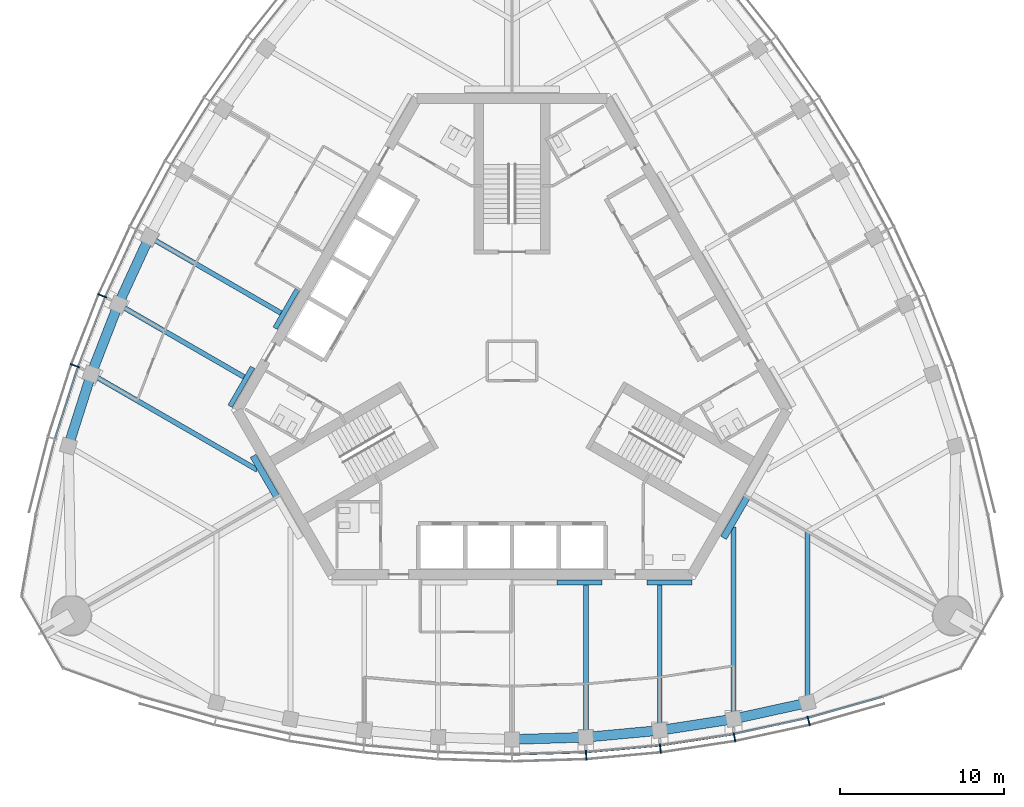
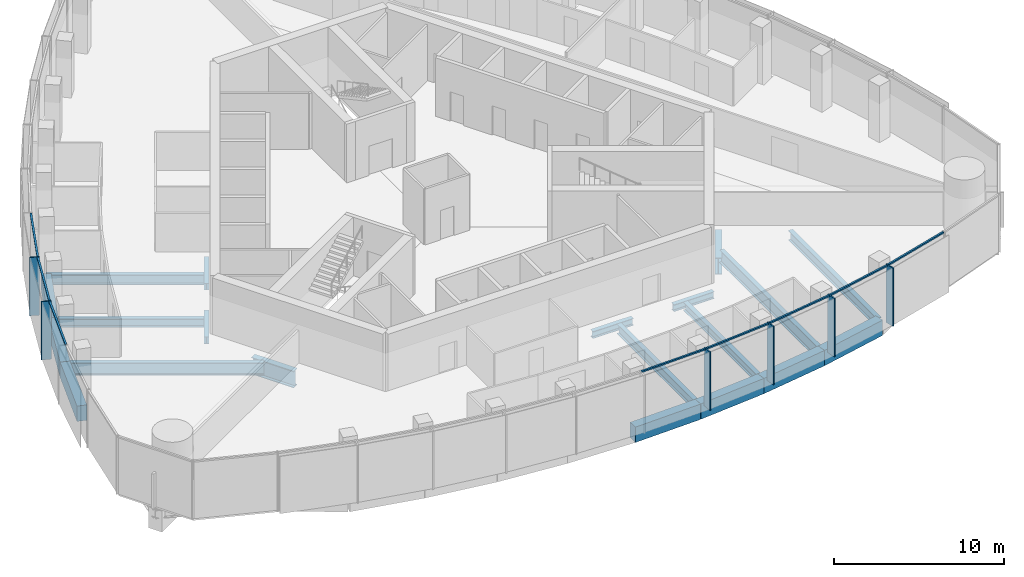
# One storey, part 3 of 16: 20 beams, 14 members, 2 elements without a shape of their own.
"""IFC4 building model written with IfcOpenShell, lengths in metres."""

from ifc_helpers import new_model, si_unit, direction, frame, origin, origin_2d, place, context, subcontext, project, spatial, rectangle, i_section, extrude, material, material_profile, profile_set, type_object, element, aggregate, save


model = new_model("IFC4")

# Units and contexts
model_context = context("Model", 3, precision=1e-05, world=origin(), true_north=direction((0.0, 1.0)))
body_context = subcontext(model_context, "Body", "Model", "MODEL_VIEW")
ifc_project = project(units=[si_unit("LENGTHUNIT", "METRE"), si_unit("AREAUNIT", "SQUARE_METRE"), si_unit("VOLUMEUNIT", "CUBIC_METRE"), si_unit("PLANEANGLEUNIT", "RADIAN"), si_unit("MASSUNIT", "GRAM", prefix="KILO")], contexts=[model_context])

# Site, building, storey
site_placement = place(None, origin())
site = spatial("IfcSite", under=ifc_project, at=site_placement, CompositionType="ELEMENT")
building_placement = place(site_placement, origin())
building = spatial("IfcBuilding", under=site, at=building_placement, Name="Trefoil Bronze Tower", CompositionType="ELEMENT")
storey_placement = place(building_placement, frame((0.0, 0.0, 301.5)))
storey = spatial("IfcBuildingStorey", under=building, at=storey_placement, Name="L69", CompositionType="ELEMENT", Elevation=301.5)

# Curtain wall, members
ifc_material_1 = material(Name="Tinted solar-control glass", Category="glass")
curtain_wall_type = type_object("IfcCurtainWallType", Name="Bronze office curtain wall", PredefinedType="USERDEFINED", material=ifc_material_1)
curtain_wall_1_placement = place(storey_placement, origin())
curtain_wall_1 = element("IfcCurtainWall", 1, at=curtain_wall_1_placement, inside=storey, type_object=curtain_wall_type, Name="CW-A L69 F1", ObjectType="CURTAIN WALL", PredefinedType="USERDEFINED")
ifc_material_2 = material(Name="Bronze-finish aluminium", Category="aluminium")
ifc_material_profile_1 = material_profile(ifc_material_2, rectangle(XDim=0.60009765625, YDim=0.080078125, at=origin_2d()), Name="CW-A mullion")
ifc_profile_set_1 = profile_set([ifc_material_profile_1], Name="Bronze-finish aluminium")
member_type_1 = type_object("IfcMemberType", Name="Bronze office curtain wall mullion", PredefinedType="MULLION", material=ifc_profile_set_1)
member_1_placement = place(storey_placement, frame((4.51806640625, -24.014892578125, 0.0), z_axis=(0.0, 0.0, 1.0), x_axis=(-0.060554040199, 0.998164920349, 0.0)))
member_1 = element("IfcMember", 2, at=member_1_placement, type_object=member_type_1, Name="CW-A L69 F1 mullion 7", PredefinedType="MULLION", context=body_context, shape_type="SweptSolid", body=[
    extrude(rectangle(XDim=0.60009765625, YDim=0.080078125, at=origin_2d()), origin(), (0.0, 0.0, 1.0), 4.179931640625),
])
member_2_placement = place(storey_placement, frame((9.036376953125, -23.602783203125, 0.0), z_axis=(0.0, 0.0, 1.0), x_axis=(-0.121109330868, 0.992639174109, 0.0)))
member_2 = element("IfcMember", 3, at=member_2_placement, type_object=member_type_1, Name="CW-A L69 F1 mullion 8", PredefinedType="MULLION", context=body_context, shape_type="SweptSolid", body=[
    extrude(rectangle(XDim=0.60009765625, YDim=0.080078125, at=origin_2d()), origin(), (0.0, 0.0, 1.0), 4.179931640625),
])
member_3_placement = place(storey_placement, frame((13.554443359375, -22.911376953125, 0.0), z_axis=(0.0, 0.0, 1.0), x_axis=(-0.181667218242, 0.983360067227, 0.0)))
member_3 = element("IfcMember", 4, at=member_3_placement, type_object=member_type_1, Name="CW-A L69 F1 mullion 9", PredefinedType="MULLION", context=body_context, shape_type="SweptSolid", body=[
    extrude(rectangle(XDim=0.60009765625, YDim=0.080078125, at=origin_2d()), origin(), (0.0, 0.0, 1.0), 4.179931640625),
])
member_4_placement = place(storey_placement, frame((18.07275390625, -21.931884765625, 0.0), z_axis=(0.0, 0.0, 1.0), x_axis=(-0.242394494031, 0.97017777199, 0.0)))
member_4 = element("IfcMember", 5, at=member_4_placement, type_object=member_type_1, Name="CW-A L69 F1 mullion 10", PredefinedType="MULLION", context=body_context, shape_type="SweptSolid", body=[
    extrude(rectangle(XDim=0.60009765625, YDim=0.080078125, at=origin_2d()), origin(), (0.0, 0.0, 1.0), 4.179931640625),
])

curtain_wall_2_placement = place(storey_placement, origin())
curtain_wall_2 = element("IfcCurtainWall", 6, at=curtain_wall_2_placement, inside=storey, type_object=curtain_wall_type, Name="CW-A L69 F3", ObjectType="CURTAIN WALL", PredefinedType="USERDEFINED")
member_5_placement = place(storey_placement, frame((-24.958984375, 3.975830078125, 0.0), z_axis=(0.0, 0.0, 1.0), x_axis=(0.920205407004, -0.391435829888, 0.0)))
member_5 = element("IfcMember", 7, at=member_5_placement, type_object=member_type_1, Name="CW-A L69 F3 mullion 8", PredefinedType="MULLION", context=body_context, shape_type="SweptSolid", body=[
    extrude(rectangle(XDim=0.60009765625, YDim=0.080078125, at=origin_2d()), origin(), (0.0, 0.0, 1.0), 4.179931640625),
])
member_6_placement = place(storey_placement, frame((-26.618896484375, -0.282958984375, 0.0), z_axis=(0.0, 0.0, 1.0), x_axis=(0.942448408407, -0.334351607581, 0.0)))
member_6 = element("IfcMember", 8, at=member_6_placement, type_object=member_type_1, Name="CW-A L69 F3 mullion 9", PredefinedType="MULLION", context=body_context, shape_type="SweptSolid", body=[
    extrude(rectangle(XDim=0.60009765625, YDim=0.080078125, at=origin_2d()), origin(), (0.0, 0.0, 1.0), 4.179931640625),
])

# Member
ifc_material_3 = material(Name="Bronze-finish aluminium", Category="aluminium")
ifc_material_profile_2 = material_profile(ifc_material_3, rectangle(XDim=0.1201171875, YDim=0.10009765625, at=origin_2d()), Name="CW-A transom")
ifc_profile_set_2 = profile_set([ifc_material_profile_2], Name="Bronze-finish aluminium")
member_type_2 = type_object("IfcMemberType", Name="Bronze office curtain wall transom", PredefinedType="USERDEFINED", material=ifc_profile_set_2)
member_7_placement = place(storey_placement, frame((0.04296875, -23.950439453125, 4.1298828125), z_axis=(0.99954057115, 0.030309183848, 0.0), x_axis=(-0.030309183848, 0.99954057115, 0.0)))
member_7 = element("IfcMember", 9, at=member_7_placement, type_object=member_type_2, Name="CW-A L69 F1 transom 6", ObjectType="TRANSOM", PredefinedType="USERDEFINED", context=body_context, shape_type="SweptSolid", body=[
    extrude(rectangle(XDim=0.1201171875, YDim=0.10009765625, at=origin_2d()), origin(), (0.0, 0.0, 1.0), 4.422119140625),
])

member_8_placement = place(storey_placement, frame((4.548828125, -23.811279296875, 4.1298828125), z_axis=(0.995868373079, 0.090808499059, 0.0), x_axis=(-0.090808499059, 0.995868373079, 0.0)))
member_8 = element("IfcMember", 10, at=member_8_placement, type_object=member_type_2, Name="CW-A L69 F1 transom 7", ObjectType="TRANSOM", PredefinedType="USERDEFINED", context=body_context, shape_type="SweptSolid", body=[
    extrude(rectangle(XDim=0.1201171875, YDim=0.10009765625, at=origin_2d()), origin(), (0.0, 0.0, 1.0), 4.438720703125),
])

member_9_placement = place(storey_placement, frame((9.0546875, -23.39794921875, 4.1298828125), z_axis=(0.988485016014, 0.151318779787, 0.0), x_axis=(-0.151318779787, 0.988485016014, 0.0)))
member_9 = element("IfcMember", 11, at=member_9_placement, type_object=member_type_2, Name="CW-A L69 F1 transom 8", ObjectType="TRANSOM", PredefinedType="USERDEFINED", context=body_context, shape_type="SweptSolid", body=[
    extrude(rectangle(XDim=0.1201171875, YDim=0.10009765625, at=origin_2d()), origin(), (0.0, 0.0, 1.0), 4.472412109375),
])

member_10_placement = place(storey_placement, frame((13.560302734375, -22.70556640625, 4.1298828125), z_axis=(0.977303780028, 0.211842681117, 0.0), x_axis=(-0.211842681117, 0.977303780028, 0.0)))
member_10 = element("IfcMember", 12, at=member_10_placement, type_object=member_type_2, Name="CW-A L69 F1 transom 9", ObjectType="TRANSOM", PredefinedType="USERDEFINED", context=body_context, shape_type="SweptSolid", body=[
    extrude(rectangle(XDim=0.1201171875, YDim=0.10009765625, at=origin_2d()), origin(), (0.0, 0.0, 1.0), 4.524658203125),
])

member_11_placement = place(storey_placement, frame((18.065673828125, -21.72607421875, 4.1298828125), z_axis=(0.962102611578, 0.272687668944, 0.0), x_axis=(-0.272687668944, 0.962102611578, 0.0)))
member_11 = element("IfcMember", 13, at=member_11_placement, type_object=member_type_2, Name="CW-A L69 F1 transom 10", ObjectType="TRANSOM", PredefinedType="USERDEFINED", context=body_context, shape_type="SweptSolid", body=[
    extrude(rectangle(XDim=0.1201171875, YDim=0.10009765625, at=origin_2d()), origin(), (0.0, 0.0, 1.0), 4.6474609375),
])

aggregate(curtain_wall_1, [member_1, member_2, member_3, member_4, member_7, member_8, member_9, member_10, member_11])

member_12_placement = place(storey_placement, frame((-22.895751953125, 7.966064453125, 4.1298828125), z_axis=(-0.4192988407, -0.907848270466, 0.0), x_axis=(0.907848270466, -0.4192988407, 0.0)))
member_12 = element("IfcMember", 14, at=member_12_placement, type_object=member_type_2, Name="CW-A L69 F3 transom 7", ObjectType="TRANSOM", PredefinedType="USERDEFINED", context=body_context, shape_type="SweptSolid", body=[
    extrude(rectangle(XDim=0.1201171875, YDim=0.10009765625, at=origin_2d()), origin(), (0.0, 0.0, 1.0), 4.4384765625),
])

member_13_placement = place(storey_placement, frame((-24.79052734375, 3.857421875, 4.1298828125), z_axis=(-0.363178486404, -0.931719586042, 0.0), x_axis=(0.931719586042, -0.363178486404, 0.0)))
member_13 = element("IfcMember", 15, at=member_13_placement, type_object=member_type_2, Name="CW-A L69 F3 transom 8", ObjectType="TRANSOM", PredefinedType="USERDEFINED", context=body_context, shape_type="SweptSolid", body=[
    extrude(rectangle(XDim=0.1201171875, YDim=0.10009765625, at=origin_2d()), origin(), (0.0, 0.0, 1.0), 4.472412109375),
])

member_14_placement = place(storey_placement, frame((-26.443603515625, -0.390869140625, 4.1298828125), z_axis=(-0.305198606794, -0.95228872219, 0.0), x_axis=(0.95228872219, -0.305198606794, 0.0)))
member_14 = element("IfcMember", 16, at=member_14_placement, type_object=member_type_2, Name="CW-A L69 F3 transom 9", ObjectType="TRANSOM", PredefinedType="USERDEFINED", context=body_context, shape_type="SweptSolid", body=[
    extrude(rectangle(XDim=0.1201171875, YDim=0.10009765625, at=origin_2d()), origin(), (0.0, 0.0, 1.0), 4.5244140625),
])

aggregate(curtain_wall_2, [member_5, member_6, member_12, member_13, member_14])

# Beams
ifc_material_4 = material(Name="Steel C355", Category="steel")
ifc_material_profile_3 = material_profile(ifc_material_4, i_section(OverallWidth=0.300048828125, OverallDepth=0.5, WebThickness=0.014404296875, FlangeThickness=0.028076171875, FilletRadius=0.027099609375, at=origin_2d()), Name="HEB 500")
ifc_profile_set_3 = profile_set([ifc_material_profile_3], Name="Steel C355")
beam_type_1 = type_object("IfcBeamType", Name="Core seat beam HEB 500", PredefinedType="BEAM", material=ifc_profile_set_3)
for number, where, z_axis, x_axis, name in (
    (17, (2.742431640625, -13.5, -0.449951171875), (1.0, 0.0, 0.0), (0.0, 1.0, 0.0), "Core seat beam F1/+1 L69"),
    (18, (8.227294921875, -13.5, -0.449951171875), (1.0, 0.0, 0.0), (0.0, 1.0, 0.0), "Core seat beam F1/+2 L69"),
    (19, (-13.0625, 4.375, -0.449951171875), (-0.500035825175, -0.866004719122, 0.0), (0.866004719122, -0.500035825175, 0.0), "Core seat beam F3/+1 L69"),
    (20, (-15.804931640625, -0.375, -0.449951171875), (-0.500035825175, -0.866004719122, 0.0), (0.866004719122, -0.500035825175, 0.0), "Core seat beam F3/+2 L69"),
):
    element("IfcBeam", number, at=place(storey_placement, frame(where, z_axis=z_axis, x_axis=x_axis)), inside=storey, type_object=beam_type_1, Name=name, PredefinedType="BEAM", context=body_context, shape_type="SweptSolid", body=[
        extrude(i_section(OverallWidth=0.300048828125, OverallDepth=0.5, WebThickness=0.014404296875, FlangeThickness=0.028076171875, FilletRadius=0.027099609375, at=origin_2d()), origin(), (0.0, 0.0, 1.0), 2.742431640625),
    ])
ifc_material_5 = material(Name="Steel C355", Category="steel")
ifc_material_profile_4 = material_profile(ifc_material_5, i_section(OverallWidth=0.39990234375, OverallDepth=1.199951171875, WebThickness=0.02001953125, FlangeThickness=0.0400390625, FilletRadius=0.010009765625, at=origin_2d()), Name="WPG 1200")
ifc_profile_set_4 = profile_set([ifc_material_profile_4], Name="Steel C355")
beam_type_2 = type_object("IfcBeamType", Name="Core seat beam WPG 1200", PredefinedType="BEAM", material=ifc_profile_set_4)
for number, where, z_axis, x_axis, name in (
    (21, (12.889404296875, -10.77490234375, -0.800048828125), (0.499995765644, 0.866027848477, 0.0), (-0.866027848477, 0.499995765644, 0.0), "Core seat beam F1/+3 L69"),
    (22, (-15.776123046875, -5.77490234375, -0.800048828125), (0.499995765644, -0.866027848477, 0.0), (0.866027848477, 0.499995765644, 0.0), "Core seat beam F3/+3 L69"),
):
    element("IfcBeam", number, at=place(storey_placement, frame(where, z_axis=z_axis, x_axis=x_axis)), inside=storey, type_object=beam_type_2, Name=name, PredefinedType="BEAM", context=body_context, shape_type="SweptSolid", body=[
        extrude(i_section(OverallWidth=0.39990234375, OverallDepth=1.199951171875, WebThickness=0.02001953125, FlangeThickness=0.0400390625, FilletRadius=0.010009765625, at=origin_2d()), origin(), (0.0, 0.0, 1.0), 2.88671875),
    ])
ifc_material_6 = material(Name="Steel C355", Category="steel")
ifc_material_profile_5 = material_profile(ifc_material_6, i_section(OverallWidth=0.300048828125, OverallDepth=0.60009765625, WebThickness=0.015380859375, FlangeThickness=0.030029296875, FilletRadius=0.027099609375, at=origin_2d()), Name="HEB 600")
ifc_profile_set_5 = profile_set([ifc_material_profile_5], Name="Steel C355")
beam_type_3 = type_object("IfcBeamType", Name="Floor beam HEB 600", PredefinedType="BEAM", material=ifc_profile_set_5)
beam_1_placement = place(storey_placement, frame((9.0, -22.499267578125, -0.5), z_axis=(0.0, 1.0, 0.0), x_axis=(-1.0, 0.0, 0.0)))
element("IfcBeam", 23, at=beam_1_placement, inside=storey, type_object=beam_type_3, Name="Floor beam F1/+2 L69", PredefinedType="BEAM", context=body_context, shape_type="SweptSolid", body=[
    extrude(i_section(OverallWidth=0.300048828125, OverallDepth=0.60009765625, WebThickness=0.015380859375, FlangeThickness=0.030029296875, FilletRadius=0.027099609375, at=origin_2d()), origin(), (0.0, 0.0, 1.0), 8.849365234375),
])
beam_2_placement = place(storey_placement, frame((-23.98486328125, 3.455322265625, -0.5), z_axis=(0.866025701847, -0.499999483739, 0.0), x_axis=(0.499999483739, 0.866025701847, 0.0)))
element("IfcBeam", 24, at=beam_2_placement, inside=storey, type_object=beam_type_3, Name="Floor beam F3/+2 L69", PredefinedType="BEAM", context=body_context, shape_type="SweptSolid", body=[
    extrude(i_section(OverallWidth=0.300048828125, OverallDepth=0.60009765625, WebThickness=0.015380859375, FlangeThickness=0.030029296875, FilletRadius=0.027099609375, at=origin_2d()), origin(), (0.0, 0.0, 1.0), 8.84912109375),
])
ifc_material_7 = material(Name="Steel C355", Category="steel")
ifc_material_profile_6 = material_profile(ifc_material_7, i_section(OverallWidth=0.300048828125, OverallDepth=0.699951171875, WebThickness=0.01708984375, FlangeThickness=0.031982421875, FilletRadius=0.027099609375, at=origin_2d()), Name="HEB 700")
ifc_profile_set_6 = profile_set([ifc_material_profile_6], Name="Steel C355")
beam_type_4 = type_object("IfcBeamType", Name="Floor beam HEB 700", PredefinedType="BEAM", material=ifc_profile_set_6)
beam_3_placement = place(storey_placement, frame((4.5, -22.913818359375, -0.550048828125), z_axis=(0.0, 1.0, 0.0), x_axis=(-1.0, 0.0, 0.0)))
element("IfcBeam", 25, at=beam_3_placement, inside=storey, type_object=beam_type_4, Name="Floor beam F1/+1 L69", PredefinedType="BEAM", context=body_context, shape_type="SweptSolid", body=[
    extrude(i_section(OverallWidth=0.300048828125, OverallDepth=0.699951171875, WebThickness=0.01708984375, FlangeThickness=0.031982421875, FilletRadius=0.027099609375, at=origin_2d()), origin(), (0.0, 0.0, 1.0), 9.263916015625),
])
beam_4_placement = place(storey_placement, frame((18.0, -20.816162109375, -0.550048828125), z_axis=(0.0, 1.0, 0.0), x_axis=(-1.0, 0.0, 0.0)))
element("IfcBeam", 26, at=beam_4_placement, inside=storey, type_object=beam_type_4, Name="Floor beam F1/+4 L69", PredefinedType="BEAM", context=body_context, shape_type="SweptSolid", body=[
    extrude(i_section(OverallWidth=0.300048828125, OverallDepth=0.699951171875, WebThickness=0.01708984375, FlangeThickness=0.031982421875, FilletRadius=0.027099609375, at=origin_2d()), origin(), (0.0, 0.0, 1.0), 10.423828125),
])
beam_5_placement = place(storey_placement, frame((-22.093994140625, 7.559814453125, -0.550048828125), z_axis=(0.866028909405, -0.499993928037, 0.0), x_axis=(0.499993928037, 0.866028909405, 0.0)))
element("IfcBeam", 27, at=beam_5_placement, inside=storey, type_object=beam_type_4, Name="Floor beam F3/+1 L69", PredefinedType="BEAM", context=body_context, shape_type="SweptSolid", body=[
    extrude(i_section(OverallWidth=0.300048828125, OverallDepth=0.699951171875, WebThickness=0.01708984375, FlangeThickness=0.031982421875, FilletRadius=0.027099609375, at=origin_2d()), origin(), (0.0, 0.0, 1.0), 9.263671875),
])
ifc_material_8 = material(Name="Steel C355", Category="steel")
ifc_material_profile_7 = material_profile(ifc_material_8, i_section(OverallWidth=0.300048828125, OverallDepth=0.89990234375, WebThickness=0.0185546875, FlangeThickness=0.034912109375, FilletRadius=0.030029296875, at=origin_2d()), Name="HEB 900")
ifc_profile_set_7 = profile_set([ifc_material_profile_7], Name="Steel C355")
beam_type_5 = type_object("IfcBeamType", Name="Floor beam HEB 900", PredefinedType="BEAM", material=ifc_profile_set_7)
beam_6_placement = place(storey_placement, frame((13.5, -21.802734375, -0.64990234375), z_axis=(0.0, 1.0, 0.0), x_axis=(-1.0, 0.0, 0.0)))
element("IfcBeam", 28, at=beam_6_placement, inside=storey, type_object=beam_type_5, Name="Floor beam F1/+3 L69", PredefinedType="BEAM", context=body_context, shape_type="SweptSolid", body=[
    extrude(i_section(OverallWidth=0.300048828125, OverallDepth=0.89990234375, WebThickness=0.0185546875, FlangeThickness=0.034912109375, FilletRadius=0.030029296875, at=origin_2d()), origin(), (0.0, 0.0, 1.0), 11.685302734375),
])
beam_7_placement = place(storey_placement, frame((-25.631591796875, -0.7900390625, -0.64990234375), z_axis=(0.866026929639, -0.499997357134, 0.0), x_axis=(0.499997357134, 0.866026929639, 0.0)))
element("IfcBeam", 29, at=beam_7_placement, inside=storey, type_object=beam_type_5, Name="Floor beam F3/+3 L69", PredefinedType="BEAM", context=body_context, shape_type="SweptSolid", body=[
    extrude(i_section(OverallWidth=0.300048828125, OverallDepth=0.89990234375, WebThickness=0.0185546875, FlangeThickness=0.034912109375, FilletRadius=0.030029296875, at=origin_2d()), origin(), (0.0, 0.0, 1.0), 11.68505859375),
])
ifc_material_9 = material(Name="Concrete B80", Category="concrete")
ifc_material_profile_8 = material_profile(ifc_material_9, rectangle(XDim=0.60009765625, YDim=1.10009765625, at=origin_2d()), Name="RC 600x1100")
ifc_profile_set_8 = profile_set([ifc_material_profile_8], Name="Concrete B80")
beam_type_6 = type_object("IfcBeamType", Name="Spandrel beam RC 600x1100", PredefinedType="SPANDREL", material=ifc_profile_set_8)
beam_8_placement = place(storey_placement, frame((0.0, -23.051513671875, -0.75), z_axis=(0.999532180362, 0.03058464354, 0.0), x_axis=(-0.03058464354, 0.999532180362, 0.0)))
element("IfcBeam", 30, at=beam_8_placement, inside=storey, type_object=beam_type_6, Name="Spandrel F1.6 L69", PredefinedType="SPANDREL", context=body_context, shape_type="SweptSolid", body=[
    extrude(rectangle(XDim=0.60009765625, YDim=1.10009765625, at=origin_2d()), origin(), (0.0, 0.0, 1.0), 4.502197265625),
])
beam_9_placement = place(storey_placement, frame((4.5, -22.913818359375, -0.75), z_axis=(0.995783550481, 0.091733966402, 0.0), x_axis=(-0.091733966402, 0.995783550481, 0.0)))
element("IfcBeam", 31, at=beam_9_placement, inside=storey, type_object=beam_type_6, Name="Spandrel F1.7 L69", PredefinedType="SPANDREL", context=body_context, shape_type="SweptSolid", body=[
    extrude(rectangle(XDim=0.60009765625, YDim=1.10009765625, at=origin_2d()), origin(), (0.0, 0.0, 1.0), 4.51904296875),
])
beam_10_placement = place(storey_placement, frame((9.0, -22.499267578125, -0.75), z_axis=(0.988231820946, 0.152963616816, 0.0), x_axis=(-0.152963616816, 0.988231820946, 0.0)))
element("IfcBeam", 32, at=beam_10_placement, inside=storey, type_object=beam_type_6, Name="Spandrel F1.8 L69", PredefinedType="SPANDREL", context=body_context, shape_type="SweptSolid", body=[
    extrude(rectangle(XDim=0.60009765625, YDim=1.10009765625, at=origin_2d()), origin(), (0.0, 0.0, 1.0), 4.553466796875),
])
beam_11_placement = place(storey_placement, frame((13.5, -21.802734375, -0.75), z_axis=(0.976800342355, 0.214152028182, 0.0), x_axis=(-0.214152028182, 0.976800342355, 0.0)))
element("IfcBeam", 33, at=beam_11_placement, inside=storey, type_object=beam_type_6, Name="Spandrel F1.9 L69", PredefinedType="SPANDREL", context=body_context, shape_type="SweptSolid", body=[
    extrude(rectangle(XDim=0.60009765625, YDim=1.10009765625, at=origin_2d()), origin(), (0.0, 0.0, 1.0), 4.60693359375),
])
beam_12_placement = place(storey_placement, frame((-22.093994140625, 7.559814453125, -0.75), z_axis=(-0.418417425199, -0.90825484215, 0.0), x_axis=(0.90825484215, -0.418417425199, 0.0)))
element("IfcBeam", 34, at=beam_12_placement, inside=storey, type_object=beam_type_6, Name="Spandrel F3.7 L69", PredefinedType="SPANDREL", context=body_context, shape_type="SweptSolid", body=[
    extrude(rectangle(XDim=0.60009765625, YDim=1.10009765625, at=origin_2d()), origin(), (0.0, 0.0, 1.0), 4.51904296875),
])
beam_13_placement = place(storey_placement, frame((-23.98486328125, 3.455322265625, -0.75), z_axis=(-0.361636286502, -0.932319256631, 0.0), x_axis=(0.932319256631, -0.361636286502, 0.0)))
element("IfcBeam", 35, at=beam_13_placement, inside=storey, type_object=beam_type_6, Name="Spandrel F3.8 L69", PredefinedType="SPANDREL", context=body_context, shape_type="SweptSolid", body=[
    extrude(rectangle(XDim=0.60009765625, YDim=1.10009765625, at=origin_2d()), origin(), (0.0, 0.0, 1.0), 4.553466796875),
])
beam_14_placement = place(storey_placement, frame((-25.631591796875, -0.7900390625, -0.75), z_axis=(-0.302969597344, -0.953000221975, 0.0), x_axis=(0.953000221975, -0.302969597344, 0.0)))
element("IfcBeam", 36, at=beam_14_placement, inside=storey, type_object=beam_type_6, Name="Spandrel F3.9 L69", PredefinedType="SPANDREL", context=body_context, shape_type="SweptSolid", body=[
    extrude(rectangle(XDim=0.60009765625, YDim=1.10009765625, at=origin_2d()), origin(), (0.0, 0.0, 1.0), 4.60693359375),
])

save(model, "model.ifc")
